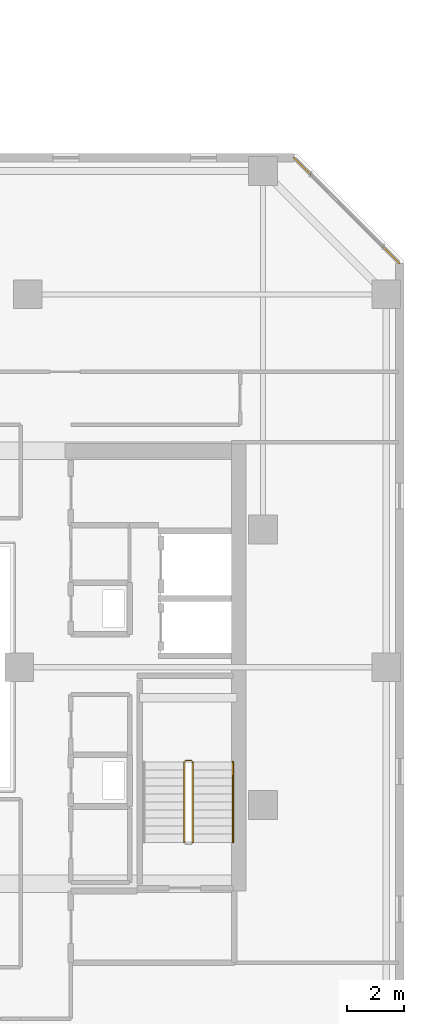
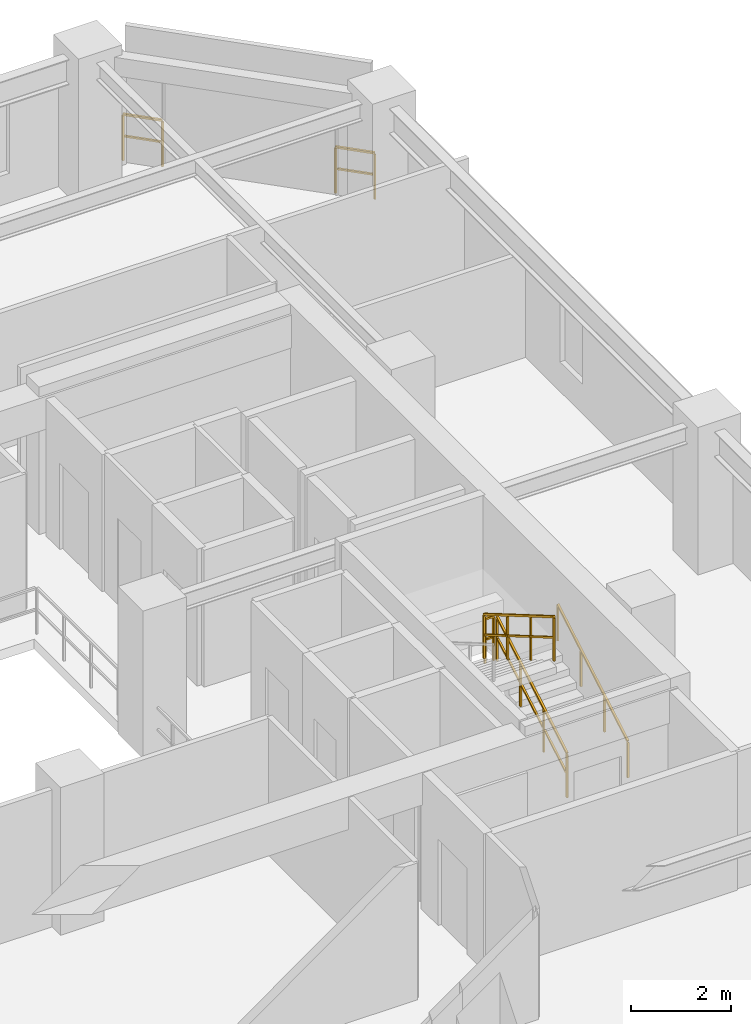
# One storey, part 33 of 33: 6 railings.
"""IFC4 building model written with IfcOpenShell, lengths in metres."""

from ifc_helpers import new_model, si_unit, direction, frame, origin, origin_2d, place, context, subcontext, project, spatial, rectangle, extrude, material, type_object, element, save


model = new_model("IFC4")

# Units and contexts
model_context = context("Model", 3, precision=1e-05, world=origin(), true_north=direction((0.0, 1.0)))
body_context = subcontext(model_context, "Body", "Model", "MODEL_VIEW")
ifc_project = project(units=[si_unit("LENGTHUNIT", "METRE"), si_unit("AREAUNIT", "SQUARE_METRE"), si_unit("VOLUMEUNIT", "CUBIC_METRE"), si_unit("PLANEANGLEUNIT", "RADIAN"), si_unit("MASSUNIT", "GRAM", prefix="KILO")], contexts=[model_context])

# Site, building, storey
site_placement = place(None, origin())
site = spatial("IfcSite", under=ifc_project, at=site_placement, CompositionType="ELEMENT")
building_placement = place(site_placement, origin())
building = spatial("IfcBuilding", under=site, at=building_placement, Name="Thornwick Lancets Civic Towers", CompositionType="ELEMENT")
storey_placement = place(building_placement, frame((0.0, 0.0, 207.300048828125)))
storey = spatial("IfcBuildingStorey", under=building, at=storey_placement, Name="L55", CompositionType="ELEMENT", Elevation=207.300048828125)

# Railings
ifc_material_1 = material(Name="Brushed stainless steel S355", Category="steel")
railing_type_1 = type_object("IfcRailingType", Name="RAIL_HANDRAIL", PredefinedType="HANDRAIL", material=ifc_material_1)
railing_1_placement = place(storey_placement, frame((100.449951171875, 20.89990234375, 0.16357421875)))
element("IfcRailing", 1, at=railing_1_placement, inside=storey, type_object=railing_type_1, Name="L55 ST-B1 stair handrail 1", PredefinedType="HANDRAIL", context=body_context, shape_type="SweptSolid", body=[
    extrude(rectangle(XDim=0.048095703125, YDim=0.048095703125, at=origin_2d()), frame((0.0, 0.0, 0.8857421875), z_axis=(0.0, 0.863360870873, 0.504586966384), x_axis=(-1.0, 0.0, 0.0)), (0.0, 0.0, 1.0), 3.2431640625),
    extrude(rectangle(XDim=0.0419921875, YDim=0.0419921875, at=origin_2d()), origin(), (0.0, 0.0, 1.0), 0.855712890625),
    extrude(rectangle(XDim=0.0419921875, YDim=0.0419921875, at=origin_2d()), frame((0.0, 0.933349609375, 0.54541015625)), (0.0, 0.0, 1.0), 0.855712890625),
    extrude(rectangle(XDim=0.0419921875, YDim=0.0419921875, at=origin_2d()), frame((0.0, 1.86669921875, 1.091064453125)), (0.0, 0.0, 1.0), 0.855712890625),
    extrude(rectangle(XDim=0.0419921875, YDim=0.0419921875, at=origin_2d()), frame((0.0, 2.800048828125, 1.636474609375)), (0.0, 0.0, 1.0), 0.855712890625),
])
ifc_material_2 = material(Name="Steel S355JR", Category="steel")
railing_type_2 = type_object("IfcRailingType", Name="RAIL_STAIR_GUARD", PredefinedType="GUARDRAIL", material=ifc_material_2)
railing_2_placement = place(storey_placement, frame((99.050048828125, 20.89990234375, 0.16357421875)))
element("IfcRailing", 2, at=railing_2_placement, inside=storey, type_object=railing_type_2, Name="L55 ST-B1 stair guard 1", PredefinedType="GUARDRAIL", context=body_context, shape_type="SweptSolid", body=[
    extrude(rectangle(XDim=0.048095703125, YDim=0.048095703125, at=origin_2d()), frame((0.0, 0.0, 1.076171875), z_axis=(0.0, 0.863360870873, 0.504586966384), x_axis=(-1.0, 0.0, 0.0)), (0.0, 0.0, 1.0), 3.2431640625),
    extrude(rectangle(XDim=0.0419921875, YDim=0.0419921875, at=origin_2d()), frame((0.0, 0.032470703125, 0.591064453125), z_axis=(0.0, 0.863360870873, 0.504586966384), x_axis=(-1.0, 0.0, 0.0)), (0.0, 0.0, 1.0), 1.006103515625),
    extrude(rectangle(XDim=0.0419921875, YDim=0.0419921875, at=origin_2d()), frame((0.0, 0.9658203125, 1.136474609375), z_axis=(0.0, 0.863360870873, 0.504586966384), x_axis=(-1.0, 0.0, 0.0)), (0.0, 0.0, 1.0), 1.006103515625),
    extrude(rectangle(XDim=0.0419921875, YDim=0.0419921875, at=origin_2d()), frame((0.0, 1.899169921875, 1.681884765625), z_axis=(0.0, 0.863360870873, 0.504586966384), x_axis=(-1.0, 0.0, 0.0)), (0.0, 0.0, 1.0), 1.006103515625),
    extrude(rectangle(XDim=0.0419921875, YDim=0.0419921875, at=origin_2d()), origin(), (0.0, 0.0, 1.0), 1.0458984375),
    extrude(rectangle(XDim=0.0419921875, YDim=0.0419921875, at=origin_2d()), frame((0.0, 0.933349609375, 0.54541015625)), (0.0, 0.0, 1.0), 1.0458984375),
    extrude(rectangle(XDim=0.0419921875, YDim=0.0419921875, at=origin_2d()), frame((0.0, 1.86669921875, 1.091064453125)), (0.0, 0.0, 1.0), 1.0458984375),
    extrude(rectangle(XDim=0.0419921875, YDim=0.0419921875, at=origin_2d()), frame((0.0, 2.800048828125, 1.636474609375)), (0.0, 0.0, 1.0), 1.0458984375),
])
railing_3_placement = place(storey_placement, frame((99.0, 23.75, 1.800048828125)))
element("IfcRailing", 3, at=railing_3_placement, inside=storey, type_object=railing_type_2, Name="L55 ST-B1 stair guard 2", PredefinedType="GUARDRAIL", context=body_context, shape_type="SweptSolid", body=[
    extrude(rectangle(XDim=0.048095703125, YDim=0.048095703125, at=origin_2d()), frame((0.0, 0.0, 1.076171875), z_axis=(-1.0, 0.0, 0.0), x_axis=(0.0, -1.0, 0.0)), (0.0, 0.0, 1.0), 0.199951171875),
    extrude(rectangle(XDim=0.0419921875, YDim=0.0419921875, at=origin_2d()), frame((-0.03759765625, 0.0, 0.572021484375), z_axis=(-1.0, 0.0, 0.0), x_axis=(0.0, -1.0, 0.0)), (0.0, 0.0, 1.0), 0.125),
    extrude(rectangle(XDim=0.0419921875, YDim=0.0419921875, at=origin_2d()), origin(), (0.0, 0.0, 1.0), 1.0458984375),
    extrude(rectangle(XDim=0.0419921875, YDim=0.0419921875, at=origin_2d()), frame((-0.199951171875, 0.0, 0.0)), (0.0, 0.0, 1.0), 1.0458984375),
])
railing_4_placement = place(storey_placement, frame((98.75, 23.699951171875, 1.963623046875)))
element("IfcRailing", 4, at=railing_4_placement, inside=storey, type_object=railing_type_2, Name="L55 ST-B1 stair guard 3", PredefinedType="GUARDRAIL", context=body_context, shape_type="SweptSolid", body=[
    extrude(rectangle(XDim=0.048095703125, YDim=0.048095703125, at=origin_2d()), frame((0.0, 0.0, 1.076171875), z_axis=(0.0, -0.863393664356, 0.504530851732), x_axis=(1.0, 0.0, 0.0)), (0.0, 0.0, 1.0), 3.2431640625),
    extrude(rectangle(XDim=0.0419921875, YDim=0.0419921875, at=origin_2d()), frame((0.0, -0.032470703125, 0.591064453125), z_axis=(0.0, -0.863393664356, 0.504530851732), x_axis=(1.0, 0.0, 0.0)), (0.0, 0.0, 1.0), 1.006103515625),
    extrude(rectangle(XDim=0.0419921875, YDim=0.0419921875, at=origin_2d()), frame((0.0, -0.9658203125, 1.136474609375), z_axis=(0.0, -0.863393664356, 0.504530851732), x_axis=(1.0, 0.0, 0.0)), (0.0, 0.0, 1.0), 1.006103515625),
    extrude(rectangle(XDim=0.0419921875, YDim=0.0419921875, at=origin_2d()), frame((0.0, -1.899169921875, 1.681884765625), z_axis=(0.0, -0.863393664356, 0.504530851732), x_axis=(1.0, 0.0, 0.0)), (0.0, 0.0, 1.0), 1.006103515625),
    extrude(rectangle(XDim=0.0419921875, YDim=0.0419921875, at=origin_2d()), origin(), (0.0, 0.0, 1.0), 1.0458984375),
    extrude(rectangle(XDim=0.0419921875, YDim=0.0419921875, at=origin_2d()), frame((0.0, -0.933349609375, 0.54541015625)), (0.0, 0.0, 1.0), 1.0458984375),
    extrude(rectangle(XDim=0.0419921875, YDim=0.0419921875, at=origin_2d()), frame((0.0, -1.86669921875, 1.0908203125)), (0.0, 0.0, 1.0), 1.0458984375),
    extrude(rectangle(XDim=0.0419921875, YDim=0.0419921875, at=origin_2d()), frame((0.0, -2.800048828125, 1.63623046875)), (0.0, 0.0, 1.0), 1.0458984375),
])
ifc_material_3 = material(Name="Terracotta-capped laminated glass balustrade S355", Category="masonry")
railing_type_3 = type_object("IfcRailingType", Name="RAIL_TERR_GUARD", PredefinedType="GUARDRAIL", material=ifc_material_3)
railing_5_placement = place(storey_placement, frame((106.260986328125, 41.07763671875, 0.0)))
element("IfcRailing", 5, at=railing_5_placement, inside=storey, type_object=railing_type_3, Name="L55 Tower B Chamfer Spandrel Guard E3-1", PredefinedType="GUARDRAIL", context=body_context, shape_type="SweptSolid", body=[
    extrude(rectangle(XDim=0.048095703125, YDim=0.048095703125, at=origin_2d()), frame((0.0, 0.0, 1.1259765625), z_axis=(-0.706956795662, 0.707256734905, 0.0), x_axis=(-0.707256734905, -0.706956795662, 0.0)), (0.0, 0.0, 1.0), 0.81396484375),
    extrude(rectangle(XDim=0.0419921875, YDim=0.0419921875, at=origin_2d()), frame((-0.026611328125, 0.026611328125, 0.597900390625), z_axis=(-0.706956795662, 0.707256734905, 0.0), x_axis=(-0.707256734905, -0.706956795662, 0.0)), (0.0, 0.0, 1.0), 0.739013671875),
    extrude(rectangle(XDim=0.0419921875, YDim=0.0419921875, at=origin_2d()), origin(), (0.0, 0.0, 1.0), 1.095703125),
    extrude(rectangle(XDim=0.0419921875, YDim=0.0419921875, at=origin_2d()), frame((-0.575439453125, 0.57568359375, 0.0)), (0.0, 0.0, 1.0), 1.095703125),
])
railing_6_placement = place(storey_placement, frame((103.1533203125, 44.185546875, 0.0)))
element("IfcRailing", 6, at=railing_6_placement, inside=storey, type_object=railing_type_3, Name="L55 Tower B Chamfer Spandrel Guard E3-2", PredefinedType="GUARDRAIL", context=body_context, shape_type="SweptSolid", body=[
    extrude(rectangle(XDim=0.048095703125, YDim=0.048095703125, at=origin_2d()), frame((0.0, 0.0, 1.1259765625), z_axis=(-0.707256734905, 0.706956795662, 0.0), x_axis=(-0.706956795662, -0.707256734905, 0.0)), (0.0, 0.0, 1.0), 0.81396484375),
    extrude(rectangle(XDim=0.0419921875, YDim=0.0419921875, at=origin_2d()), frame((-0.026611328125, 0.026611328125, 0.597900390625), z_axis=(-0.707256734905, 0.706956795662, 0.0), x_axis=(-0.706956795662, -0.707256734905, 0.0)), (0.0, 0.0, 1.0), 0.739013671875),
    extrude(rectangle(XDim=0.0419921875, YDim=0.0419921875, at=origin_2d()), origin(), (0.0, 0.0, 1.0), 1.095703125),
    extrude(rectangle(XDim=0.0419921875, YDim=0.0419921875, at=origin_2d()), frame((-0.57568359375, 0.575439453125, 0.0)), (0.0, 0.0, 1.0), 1.095703125),
])

save(model, "model.ifc")
